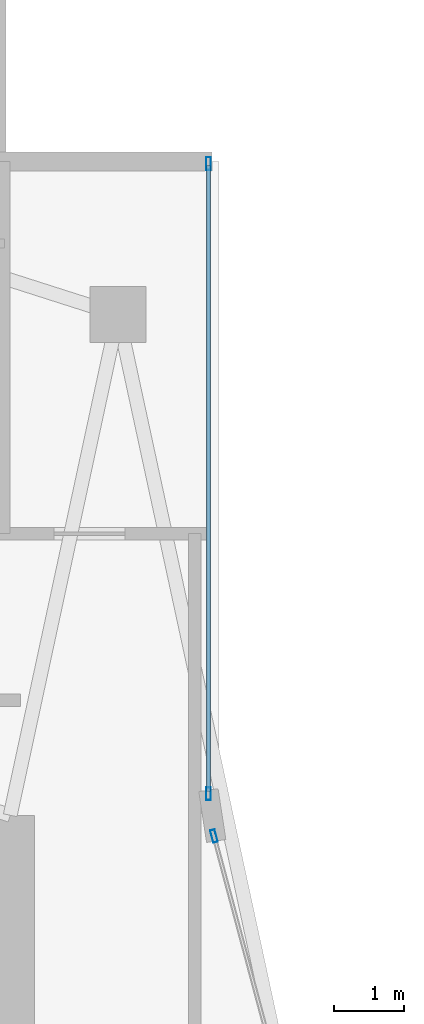
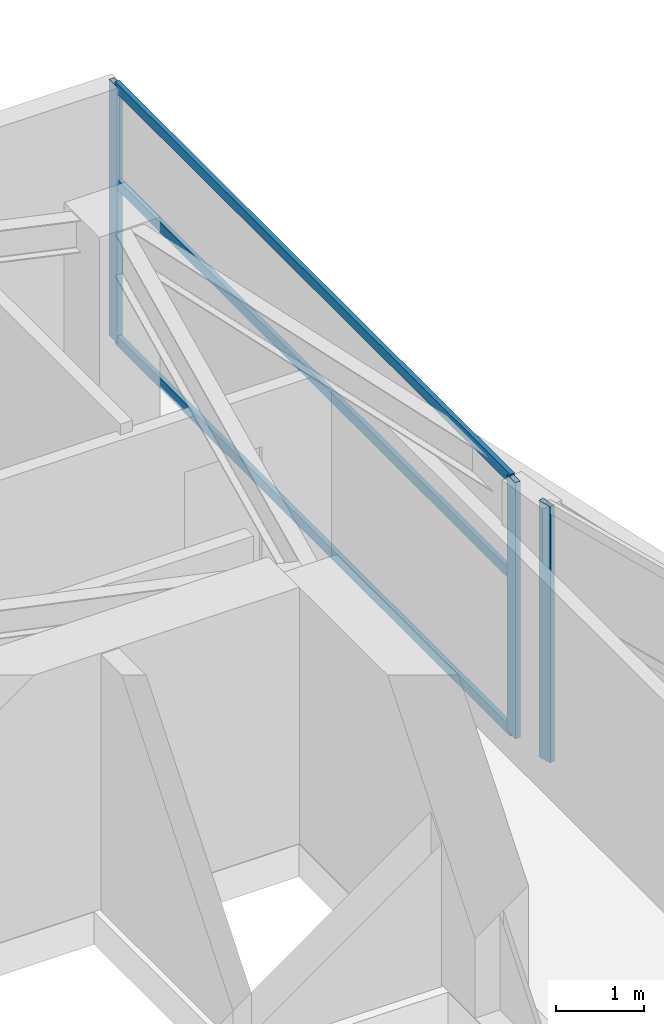
# One storey, part 18 of 28: 6 members, 2 elements without a shape of their own.
"""IFC4 building model written with IfcOpenShell, lengths in metres."""

from ifc_helpers import new_model, si_unit, direction, frame, origin, origin_2d, place, context, subcontext, project, spatial, hollow_rectangle, extrude, material, layer, layer_set, material_profile, profile_set, type_object, element, aggregate, save


model = new_model("IFC4")

# Units and contexts
model_context = context("Model", 3, precision=1e-05, world=origin(), true_north=direction((0.0, 1.0)))
body_context = subcontext(model_context, "Body", "Model", "MODEL_VIEW")
ifc_project = project(units=[si_unit("LENGTHUNIT", "METRE"), si_unit("AREAUNIT", "SQUARE_METRE"), si_unit("VOLUMEUNIT", "CUBIC_METRE"), si_unit("PLANEANGLEUNIT", "RADIAN"), si_unit("MASSUNIT", "GRAM", prefix="KILO")], contexts=[model_context])

# Site, building, storey
site_placement = place(None, origin())
site = spatial("IfcSite", under=ifc_project, at=site_placement, CompositionType="ELEMENT")
building_placement = place(site_placement, origin())
building = spatial("IfcBuilding", under=site, at=building_placement, Name="Calvorn Quay Hotel", CompositionType="ELEMENT")
storey_placement = place(building_placement, frame((0.0, 0.0, 219.300048828125)))
storey = spatial("IfcBuildingStorey", under=building, at=storey_placement, Name="L54", CompositionType="ELEMENT", Elevation=219.300048828125)

# Curtain wall, member
ifc_material_1 = material(Name="Champagne Bronze Anodised Aluminium and Low-E Glass", Category="aluminium")
ifc_layer = layer(ifc_material_1, 0.219970703125)
ifc_layer_set = layer_set([ifc_layer], Name="CW-SYS-Z3")
curtain_wall_type = type_object("IfcCurtainWallType", Name="CW-SYS-Z3", PredefinedType="NOTDEFINED", material=ifc_layer_set)
curtain_wall_1_placement = place(storey_placement, origin())
curtain_wall_1 = element("IfcCurtainWall", 1, at=curtain_wall_1_placement, inside=storey, type_object=curtain_wall_type, Name="Inner Court Curtain Wall L54-IC1", PredefinedType="NOTDEFINED")
ifc_material_2 = material(Name="Champagne Bronze Anodised Aluminium 6063-T6", Category="aluminium")
ifc_material_profile_1 = material_profile(ifc_material_2, hollow_rectangle(XDim=0.068115234375, YDim=0.18505859375, WallThickness=0.00390625, at=origin_2d()), Name="ALU-M185x68x4")
ifc_profile_set_1 = profile_set([ifc_material_profile_1], Name="Champagne Bronze Anodised Aluminium 6063-T6")
member_type_1 = type_object("IfcMemberType", Name="CW-SYS-Z3-MUL", PredefinedType="MULLION", material=ifc_profile_set_1)
member_1_placement = place(storey_placement, frame((17.9296875, 38.10107421875, 0.0), z_axis=(0.0, 0.0, 1.0), x_axis=(-0.96593652056, -0.25877913024, 0.0)))
member_1 = element("IfcMember", 2, at=member_1_placement, type_object=member_type_1, Name="CW-L54-IC1 mullion 2", PredefinedType="MULLION", context=body_context, shape_type="SweptSolid", body=[
    extrude(hollow_rectangle(XDim=0.068115234375, YDim=0.18505859375, WallThickness=0.00390625, at=origin_2d()), origin(), (0.0, 0.0, 1.0), 3.56005859375),
])
aggregate(curtain_wall_1, [member_1])

# Curtain wall, members
curtain_wall_2_placement = place(storey_placement, origin())
curtain_wall_2 = element("IfcCurtainWall", 3, at=curtain_wall_2_placement, inside=storey, type_object=curtain_wall_type, Name="Inner Court Curtain Wall L54-IC2", PredefinedType="NOTDEFINED")
member_2_placement = place(storey_placement, frame((17.85009765625, 38.7099609375, 0.0), z_axis=(0.0, 0.0, 1.0), x_axis=(-1.0, 0.0, 0.0)))
member_2 = element("IfcMember", 4, at=member_2_placement, type_object=member_type_1, Name="CW-L54-IC2 mullion 1", PredefinedType="MULLION", context=body_context, shape_type="SweptSolid", body=[
    extrude(hollow_rectangle(XDim=0.068115234375, YDim=0.18505859375, WallThickness=0.00390625, at=origin_2d()), origin(), (0.0, 0.0, 1.0), 3.56005859375),
])
member_3_placement = place(storey_placement, frame((17.85009765625, 47.77001953125, 0.0), z_axis=(0.0, 0.0, 1.0), x_axis=(-1.0, 0.0, 0.0)))
member_3 = element("IfcMember", 5, at=member_3_placement, type_object=member_type_1, Name="CW-L54-IC2 mullion 2", PredefinedType="MULLION", context=body_context, shape_type="SweptSolid", body=[
    extrude(hollow_rectangle(XDim=0.068115234375, YDim=0.18505859375, WallThickness=0.00390625, at=origin_2d()), origin(), (0.0, 0.0, 1.0), 3.56005859375),
])
ifc_material_3 = material(Name="Champagne Bronze Anodised Aluminium 6063-T6", Category="aluminium")
ifc_material_profile_2 = material_profile(ifc_material_3, hollow_rectangle(XDim=0.05810546875, YDim=0.139892578125, WallThickness=0.003173828125, at=origin_2d()), Name="ALU-T140x58x3.2")
ifc_profile_set_2 = profile_set([ifc_material_profile_2], Name="Champagne Bronze Anodised Aluminium 6063-T6")
member_type_2 = type_object("IfcMemberType", Name="CW-SYS-Z3-TRN", PredefinedType="USERDEFINED", material=ifc_profile_set_2)
member_4_placement = place(storey_placement, frame((17.85009765625, 38.739990234375, 0.030029296875), z_axis=(0.0, 1.0, 0.0), x_axis=(-1.0, 0.0, 0.0)))
member_4 = element("IfcMember", 6, at=member_4_placement, type_object=member_type_2, Name="CW-L54-IC2 transom 1.1", ObjectType="TRANSOM", PredefinedType="USERDEFINED", context=body_context, shape_type="SweptSolid", body=[
    extrude(hollow_rectangle(XDim=0.05810546875, YDim=0.139892578125, WallThickness=0.003173828125, at=origin_2d()), origin(), (0.0, 0.0, 1.0), 9.0),
])
member_5_placement = place(storey_placement, frame((17.85009765625, 38.739990234375, 2.199951171875), z_axis=(0.0, 1.0, 0.0), x_axis=(-1.0, 0.0, 0.0)))
member_5 = element("IfcMember", 7, at=member_5_placement, type_object=member_type_2, Name="CW-L54-IC2 transom 1.2", ObjectType="TRANSOM", PredefinedType="USERDEFINED", context=body_context, shape_type="SweptSolid", body=[
    extrude(hollow_rectangle(XDim=0.05810546875, YDim=0.139892578125, WallThickness=0.003173828125, at=origin_2d()), origin(), (0.0, 0.0, 1.0), 9.0),
])
member_6_placement = place(storey_placement, frame((17.85009765625, 38.739990234375, 3.530029296875), z_axis=(0.0, 1.0, 0.0), x_axis=(-1.0, 0.0, 0.0)))
member_6 = element("IfcMember", 8, at=member_6_placement, type_object=member_type_2, Name="CW-L54-IC2 transom 1.3", ObjectType="TRANSOM", PredefinedType="USERDEFINED", context=body_context, shape_type="SweptSolid", body=[
    extrude(hollow_rectangle(XDim=0.05810546875, YDim=0.139892578125, WallThickness=0.003173828125, at=origin_2d()), origin(), (0.0, 0.0, 1.0), 9.0),
])
aggregate(curtain_wall_2, [member_2, member_3, member_4, member_5, member_6])

save(model, "model.ifc")
